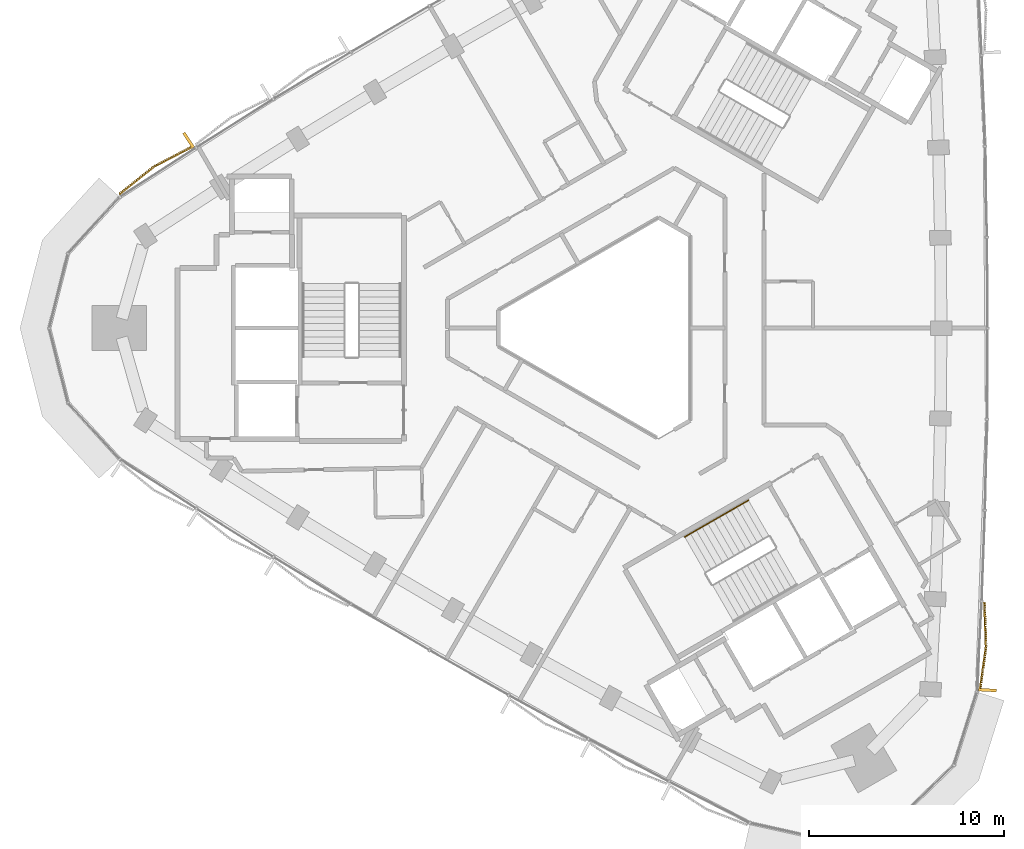
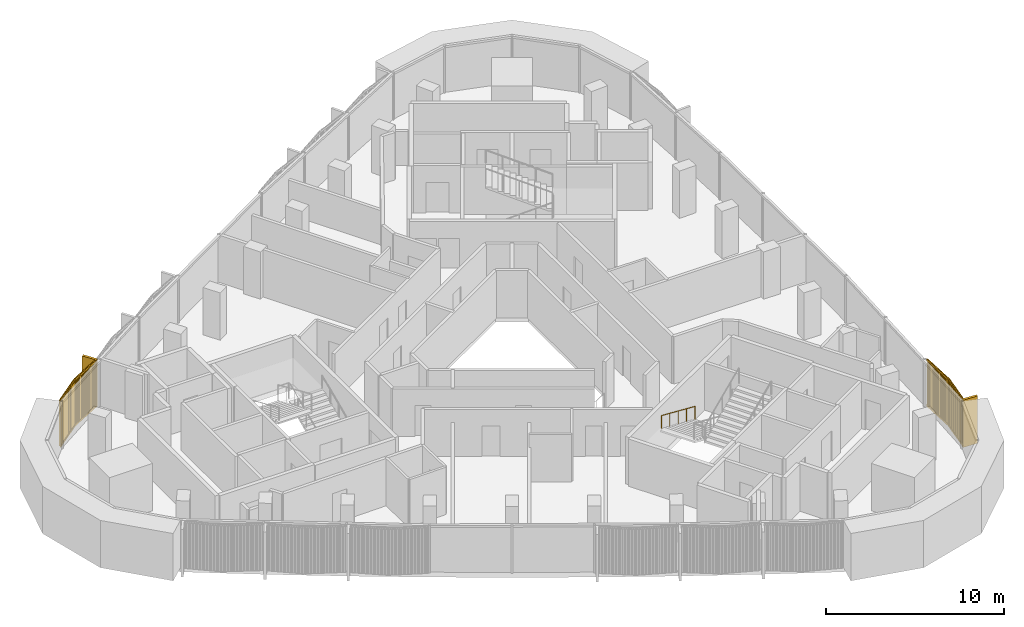
# One storey, part 14 of 16: 2 coverings, 1 railing.
"""IFC4 building model written with IfcOpenShell, lengths in metres."""

import ifcopenshell
import ifcopenshell.guid

model = None  # the IFC model being written
_history = None  # IfcOwnerHistory: only IFC2X3 demands one
_inside = {}  # id of a spatial element -> (the spatial element, [elements in it])
_under = {}  # id of a project, library or spatial element -> (it, [spatial elements below it])
_declared = {}  # id of a project -> (the project, [libraries it declares])
_typed = {}  # id of a type object -> (the type object, [elements of that type])
_made_of = {}  # id of a material, layer set ... -> (it, [elements and type objects made of it])


def new_model(schema):
    """Start an empty IFC model of exactly this schema.

    Asked for "IFC4X3", IfcOpenShell would pick the latest addendum, in which some entities
    have other attributes; the version numbers below select the first issue.
    IFC2X3 requires an IfcOwnerHistory on every rooted entity: one is made here for all.
    """
    global model, _history
    if schema == "IFC4X3":
        model = ifcopenshell.file(schema_version=(4, 3, 0, 0))
    else:
        model = ifcopenshell.file(schema=schema)
    _inside.clear()
    _under.clear()
    _declared.clear()
    _typed.clear()
    _made_of.clear()
    _history = None
    if model.schema == "IFC2X3":
        org = make("IfcOrganization", Name="unknown")
        user = make(
            "IfcPersonAndOrganization",
            ThePerson=make("IfcPerson", FamilyName="unknown"),
            TheOrganization=org,
        )
        app = make(
            "IfcApplication",
            ApplicationDeveloper=org,
            Version="unknown",
            ApplicationFullName="unknown",
            ApplicationIdentifier="unknown",
        )
        _history = make(
            "IfcOwnerHistory",
            OwningUser=user,
            OwningApplication=app,
            ChangeAction="ADDED",
            CreationDate=0,
        )
    return model


def make(cls, **values):
    """One entity of the class cls with the attributes given. An attribute that is None is left unset."""
    return model.create_entity(
        cls, **{name: value for name, value in values.items() if value is not None}
    )


def rooted(cls, **values):
    """An entity with a GlobalId (a new one), such as an element, a storey or a relation."""
    return make(cls, GlobalId=ifcopenshell.guid.new(), OwnerHistory=_history, **values)


def si_unit(unit_type, name, prefix=None):
    """IfcSIUnit, for example si_unit("LENGTHUNIT", "METRE", prefix="MILLI")."""
    return make("IfcSIUnit", UnitType=unit_type, Prefix=prefix, Name=name)


def assignment(units):
    """IfcUnitAssignment: the units of a project."""
    return None if units is None else make("IfcUnitAssignment", Units=units)


def point(xyz):
    """IfcCartesianPoint."""
    return None if xyz is None else make("IfcCartesianPoint", Coordinates=xyz)


def direction(xyz):
    """IfcDirection."""
    return None if xyz is None else make("IfcDirection", DirectionRatios=xyz)


def frame(location, z_axis=None, x_axis=None):
    """IfcAxis2Placement3D, a coordinate frame: its origin and axes. An axis left out is left unset."""
    return make(
        "IfcAxis2Placement3D",
        Location=point(location),
        Axis=direction(z_axis),
        RefDirection=direction(x_axis),
    )


def frame_2d(location, x_axis=None):
    """IfcAxis2Placement2D, a coordinate frame in the plane: its origin and x axis."""
    return make(
        "IfcAxis2Placement2D", Location=point(location), RefDirection=direction(x_axis)
    )


def origin():
    """The frame at (0, 0, 0) with its axes left unset."""
    return frame((0.0, 0.0, 0.0))


def origin_2d():
    """The frame at (0, 0) in the plane with its x axis left unset."""
    return frame_2d((0.0, 0.0))


def place(relative_to, where):
    """IfcLocalPlacement: puts the frame where relative to a parent placement (None: the world)."""
    return make(
        "IfcLocalPlacement", PlacementRelTo=relative_to, RelativePlacement=where
    )


def context(
    kind, dimensions, precision=None, world=None, true_north=None, identifier=None
):
    """IfcGeometricRepresentationContext, for example the 3D "Model" context."""
    return make(
        "IfcGeometricRepresentationContext",
        ContextIdentifier=identifier,
        ContextType=kind,
        CoordinateSpaceDimension=dimensions,
        Precision=precision,
        WorldCoordinateSystem=world,
        TrueNorth=true_north,
    )


def subcontext(parent, identifier, kind, view, scale=None):
    """IfcGeometricRepresentationSubContext, for example "Body" below "Model"."""
    return make(
        "IfcGeometricRepresentationSubContext",
        ContextIdentifier=identifier,
        ContextType=kind,
        ParentContext=parent,
        TargetScale=scale,
        TargetView=view,
    )


def project(units=None, contexts=None):
    """IfcProject with its units and contexts."""
    return rooted(
        "IfcProject",
        Name="project",
        RepresentationContexts=contexts,
        UnitsInContext=assignment(units),
    )


def spatial(cls, under=None, at=None, **own):
    """A site, building, storey or space (cls), placed at a placement, below another one or the project."""
    s = rooted(cls, ObjectPlacement=at, **own)
    if under is not None:
        _under.setdefault(under.id(), (under, []))[1].append(s)
    return s


def profile(cls, at=None, kind="AREA", **sizes):
    """A parametric profile (cls). Its sizes go by their IFC names, for example OverallWidth=200.0."""
    return make(cls, ProfileType=kind, Position=at, **sizes)


def rectangle(**sizes):
    """IfcRectangleProfileDef."""
    return profile("IfcRectangleProfileDef", **sizes)


def circle(**sizes):
    """IfcCircleProfileDef."""
    return profile("IfcCircleProfileDef", **sizes)


def extrude(swept, where, along, depth):
    """IfcExtrudedAreaSolid: the profile swept, set in the frame where, extruded along a direction by depth."""
    return make(
        "IfcExtrudedAreaSolid",
        SweptArea=swept,
        Position=where,
        ExtrudedDirection=direction(along),
        Depth=depth,
    )


def shape(context_of_items, identifier, shape_type, items):
    """IfcShapeRepresentation: the items that make up one representation, for example the "Body"."""
    return make(
        "IfcShapeRepresentation",
        ContextOfItems=context_of_items,
        RepresentationIdentifier=identifier,
        RepresentationType=shape_type,
        Items=items,
    )


def source(mapping_origin, context_of_items, identifier, shape_type, items):
    """IfcRepresentationMap: a shape defined once, which mapped items show again and again."""
    return make(
        "IfcRepresentationMap",
        MappingOrigin=mapping_origin,
        MappedRepresentation=shape(context_of_items, identifier, shape_type, items),
    )


def transform(
    local_origin,
    x_axis=None,
    y_axis=None,
    z_axis=None,
    scale=None,
    scale2=None,
    scale3=None,
    uniform=True,
):
    """IfcCartesianTransformationOperator3D, or its non-uniform kind. x_axis, y_axis, z_axis: its Axis1, 2, 3."""
    if uniform:
        return make(
            "IfcCartesianTransformationOperator3D",
            Axis1=direction(x_axis),
            Axis2=direction(y_axis),
            LocalOrigin=point(local_origin),
            Scale=scale,
            Axis3=direction(z_axis),
        )
    return make(
        "IfcCartesianTransformationOperator3DnonUniform",
        Axis1=direction(x_axis),
        Axis2=direction(y_axis),
        LocalOrigin=point(local_origin),
        Scale=scale,
        Axis3=direction(z_axis),
        Scale2=scale2,
        Scale3=scale3,
    )


def mapped(mapping_source, mapping_target):
    """IfcMappedItem: shows the shape of a source again, moved by a transform."""
    return make(
        "IfcMappedItem", MappingSource=mapping_source, MappingTarget=mapping_target
    )


def material(Name=None, Category=None):
    """IfcMaterial."""
    return make("IfcMaterial", Name=Name, Category=Category)


def made_of(thing, what):
    """Note that an element or type object is made of a material, layer set ...; save() writes the relation."""
    if what is not None:
        _made_of.setdefault(what.id(), (what, []))[1].append(thing)
    return thing


def type_object(cls, material=None, **own):
    """A type object (cls), such as IfcWallType, which elements share."""
    return made_of(rooted(cls, **own), material)


def element(
    cls,
    number,
    at=None,
    inside=None,
    cuts=None,
    type_object=None,
    material=None,
    context=None,
    identifier="Body",
    shape_type=None,
    held_by="IfcProductDefinitionShape",
    body=None,
    shapes=None,
    **own,
):
    """One element of the class cls, such as IfcWall. Its Tag is "e" and its number.

    at: its placement. inside: the storey or other place that contains it. cuts: it is an
    opening in that element (IfcRelVoidsElement). A single representation is given by context,
    identifier, shape_type and body (its items); several are given by shapes. held_by: the class
    of the entity that holds the representations. save() writes the other relations.
    """
    e = rooted(cls, Tag="e%d" % number, ObjectPlacement=at, **own)
    if body is not None:
        shapes = [shape(context, identifier, shape_type, body)]
    if shapes is not None:
        e.Representation = make(held_by, Representations=shapes)
    if inside is not None:
        _inside.setdefault(inside.id(), (inside, []))[1].append(e)
    if cuts is not None:
        rooted(
            "IfcRelVoidsElement", RelatingBuildingElement=cuts, RelatedOpeningElement=e
        )
    if type_object is not None:
        _typed.setdefault(type_object.id(), (type_object, []))[1].append(e)
    return made_of(e, material)


def aggregate(whole, parts):
    """IfcRelAggregates: a whole, such as a stair, and the parts it consists of."""
    return rooted("IfcRelAggregates", RelatingObject=whole, RelatedObjects=parts)


def save(model, path):
    """Write the relations noted so far, then the file.

    IfcRelAggregates (storeys below a building ...), IfcRelContainedInSpatialStructure (elements
    in a storey), IfcRelDefinesByType, IfcRelAssociatesMaterial and IfcRelDeclares: one each for
    every whole, place, type object, material and project.
    """
    for whole, parts in _under.values():
        aggregate(whole, parts)
    for where, things in _inside.values():
        rooted(
            "IfcRelContainedInSpatialStructure",
            RelatedElements=things,
            RelatingStructure=where,
        )
    for kind, things in _typed.values():
        rooted("IfcRelDefinesByType", RelatedObjects=things, RelatingType=kind)
    for what, things in _made_of.values():
        rooted("IfcRelAssociatesMaterial", RelatedObjects=things, RelatingMaterial=what)
    for by, libraries in _declared.values():
        rooted("IfcRelDeclares", RelatingContext=by, RelatedDefinitions=libraries)
    model.write(path)


model = new_model("IFC4")

# Units and contexts
model_context = context("Model", 3, precision=1e-05, world=origin(), true_north=direction((0.0, 1.0)))
body_context = subcontext(model_context, "Body", "Model", "MODEL_VIEW")
ifc_project = project(units=[si_unit("LENGTHUNIT", "METRE"), si_unit("AREAUNIT", "SQUARE_METRE"), si_unit("VOLUMEUNIT", "CUBIC_METRE"), si_unit("PLANEANGLEUNIT", "RADIAN"), si_unit("MASSUNIT", "GRAM", prefix="KILO")], contexts=[model_context])

# Site, building, storey
site_placement = place(None, origin())
site = spatial("IfcSite", under=ifc_project, at=site_placement, CompositionType="ELEMENT")
building_placement = place(site_placement, origin())
building = spatial("IfcBuilding", under=site, at=building_placement, Name="Tamra Quay Hotel Tower", CompositionType="ELEMENT")
storey_placement = place(building_placement, frame((0.0, 0.0, 239.39990234375)))
storey = spatial("IfcBuildingStorey", under=building, at=storey_placement, Name="L60", CompositionType="ELEMENT", Elevation=239.39990234375)

# Railing
ifc_material_1 = material(Name="Stair handrail 900")
railing_type = type_object("IfcRailingType", Name="Stair handrail 900", PredefinedType="HANDRAIL", material=ifc_material_1)
railing_placement = place(storey_placement, frame((6.7978515625, -8.814208984375, 0.150146484375)))
element("IfcRailing", 1, at=railing_placement, inside=storey, type_object=railing_type, Name="HR", PredefinedType="HANDRAIL", context=body_context, shape_type="SweptSolid", body=[
    extrude(circle(Radius=0.02392578125, at=origin_2d()), frame((0.0, 0.0, 0.8759765625), z_axis=(-0.79310004713, -0.457886897714, 0.401661429744), x_axis=(0.499992114976, -0.866029956157, 0.0)), (0.0, 0.0, 1.0), 4.107666015625),
    extrude(circle(Radius=0.02099609375, at=origin_2d()), origin(), (0.0, 0.0, 1.0), 0.851806640625),
    extrude(circle(Radius=0.02099609375, at=origin_2d()), frame((-0.814453125, -0.47021484375, 0.41259765625)), (0.0, 0.0, 1.0), 0.851806640625),
    extrude(circle(Radius=0.02099609375, at=origin_2d()), frame((-1.62890625, -0.9404296875, 0.824951171875)), (0.0, 0.0, 1.0), 0.851806640625),
    extrude(circle(Radius=0.02099609375, at=origin_2d()), frame((-2.443359375, -1.41064453125, 1.2373046875)), (0.0, 0.0, 1.0), 0.851806640625),
    extrude(circle(Radius=0.02099609375, at=origin_2d()), frame((-3.2578125, -1.880859375, 1.64990234375)), (0.0, 0.0, 1.0), 0.851806640625),
])

# Coverings
ifc_material_2 = material(Name="Terracotta baguette extruded", Category="masonry")
covering_type_1 = type_object("IfcCoveringType", Name="BAGUETTE SCREEN E-V H3250", PredefinedType="USERDEFINED", material=ifc_material_2)
shared_shape_1 = source(origin(), body_context, "Body", "SweptSolid", [
    extrude(rectangle(XDim=2.291259765625, YDim=0.06005859375, at=frame_2d((1.1455078125, 0.030029296875))), frame((-2.287841796875, -0.057861328125, -0.1201171875), z_axis=(0.0, 0.0, 1.0), x_axis=(0.996194698092, -0.087155742748, 0.0)), (0.0, 0.0, 1.0), 0.1201171875),
    extrude(rectangle(XDim=2.291259765625, YDim=0.06005859375, at=frame_2d((1.1455078125, 0.030029296875))), frame((-2.287841796875, -0.057861328125, -3.25), z_axis=(0.0, 0.0, 1.0), x_axis=(0.996194698092, -0.087155742748, 0.0)), (0.0, 0.0, 1.0), 0.1201171875),
    extrude(rectangle(XDim=0.070068359375, YDim=0.10009765625, at=frame_2d((0.03515625, 0.050048828125))), frame((-2.267822265625, -0.13232421875, -3.18994140625)), (0.0, 0.0, 1.0), 3.1298828125),
    extrude(rectangle(XDim=0.070068359375, YDim=0.10009765625, at=frame_2d((0.03515625, 0.050048828125))), frame((-2.168701171875, -0.14111328125, -3.18994140625)), (0.0, 0.0, 1.0), 3.1298828125),
    extrude(rectangle(XDim=0.070068359375, YDim=0.10009765625, at=frame_2d((0.03515625, 0.050048828125))), frame((-2.0693359375, -0.149658203125, -3.18994140625)), (0.0, 0.0, 1.0), 3.1298828125),
    extrude(rectangle(XDim=0.070068359375, YDim=0.10009765625, at=frame_2d((0.03515625, 0.050048828125))), frame((-1.97021484375, -0.158447265625, -3.18994140625)), (0.0, 0.0, 1.0), 3.1298828125),
    extrude(rectangle(XDim=0.070068359375, YDim=0.10009765625, at=frame_2d((0.03515625, 0.050048828125))), frame((-1.870849609375, -0.1669921875, -3.18994140625)), (0.0, 0.0, 1.0), 3.1298828125),
    extrude(rectangle(XDim=0.070068359375, YDim=0.10009765625, at=frame_2d((0.03515625, 0.050048828125))), frame((-1.771728515625, -0.17578125, -3.18994140625)), (0.0, 0.0, 1.0), 3.1298828125),
    extrude(rectangle(XDim=0.070068359375, YDim=0.10009765625, at=frame_2d((0.03515625, 0.050048828125))), frame((-1.67236328125, -0.184326171875, -3.18994140625)), (0.0, 0.0, 1.0), 3.1298828125),
    extrude(rectangle(XDim=0.070068359375, YDim=0.10009765625, at=frame_2d((0.03515625, 0.050048828125))), frame((-1.5732421875, -0.193115234375, -3.18994140625)), (0.0, 0.0, 1.0), 3.1298828125),
    extrude(rectangle(XDim=0.070068359375, YDim=0.10009765625, at=frame_2d((0.03515625, 0.050048828125))), frame((-1.473876953125, -0.201904296875, -3.18994140625)), (0.0, 0.0, 1.0), 3.1298828125),
    extrude(rectangle(XDim=0.070068359375, YDim=0.10009765625, at=frame_2d((0.03515625, 0.050048828125))), frame((-1.374755859375, -0.21044921875, -3.18994140625)), (0.0, 0.0, 1.0), 3.1298828125),
    extrude(rectangle(XDim=0.070068359375, YDim=0.10009765625, at=frame_2d((0.03515625, 0.050048828125))), frame((-1.275390625, -0.21923828125, -3.18994140625)), (0.0, 0.0, 1.0), 3.1298828125),
    extrude(rectangle(XDim=0.070068359375, YDim=0.10009765625, at=frame_2d((0.03515625, 0.050048828125))), frame((-1.17626953125, -0.227783203125, -3.18994140625)), (0.0, 0.0, 1.0), 3.1298828125),
    extrude(rectangle(XDim=0.070068359375, YDim=0.10009765625, at=frame_2d((0.03515625, 0.050048828125))), frame((-1.076904296875, -0.236572265625, -3.18994140625)), (0.0, 0.0, 1.0), 3.1298828125),
    extrude(rectangle(XDim=0.070068359375, YDim=0.10009765625, at=frame_2d((0.03515625, 0.050048828125))), frame((-0.977783203125, -0.2451171875, -3.18994140625)), (0.0, 0.0, 1.0), 3.1298828125),
    extrude(rectangle(XDim=0.070068359375, YDim=0.10009765625, at=frame_2d((0.03515625, 0.050048828125))), frame((-0.87841796875, -0.25390625, -3.18994140625)), (0.0, 0.0, 1.0), 3.1298828125),
    extrude(rectangle(XDim=0.070068359375, YDim=0.10009765625, at=frame_2d((0.03515625, 0.050048828125))), frame((-0.779296875, -0.2626953125, -3.18994140625)), (0.0, 0.0, 1.0), 3.1298828125),
    extrude(rectangle(XDim=0.070068359375, YDim=0.10009765625, at=frame_2d((0.03515625, 0.050048828125))), frame((-0.679931640625, -0.271240234375, -3.18994140625)), (0.0, 0.0, 1.0), 3.1298828125),
    extrude(rectangle(XDim=0.070068359375, YDim=0.10009765625, at=frame_2d((0.03515625, 0.050048828125))), frame((-0.580810546875, -0.280029296875, -3.18994140625)), (0.0, 0.0, 1.0), 3.1298828125),
    extrude(rectangle(XDim=0.070068359375, YDim=0.10009765625, at=frame_2d((0.03515625, 0.050048828125))), frame((-0.481689453125, -0.28857421875, -3.18994140625)), (0.0, 0.0, 1.0), 3.1298828125),
    extrude(rectangle(XDim=0.070068359375, YDim=0.10009765625, at=frame_2d((0.03515625, 0.050048828125))), frame((-0.38232421875, -0.29736328125, -3.18994140625)), (0.0, 0.0, 1.0), 3.1298828125),
    extrude(rectangle(XDim=0.070068359375, YDim=0.10009765625, at=frame_2d((0.03515625, 0.050048828125))), frame((-0.283203125, -0.305908203125, -3.18994140625)), (0.0, 0.0, 1.0), 3.1298828125),
    extrude(rectangle(XDim=0.070068359375, YDim=0.10009765625, at=frame_2d((0.03515625, 0.050048828125))), frame((-0.183837890625, -0.314697265625, -3.18994140625)), (0.0, 0.0, 1.0), 3.1298828125),
    extrude(rectangle(XDim=0.070068359375, YDim=0.10009765625, at=frame_2d((0.03515625, 0.050048828125))), frame((-0.084716796875, -0.3232421875, -3.18994140625)), (0.0, 0.0, 1.0), 3.1298828125),
    extrude(rectangle(XDim=2.291259765625, YDim=0.06005859375, at=frame_2d((1.1455078125, 0.030029296875))), frame((0.005126953125, -0.257568359375, -0.1201171875), z_axis=(0.0, 0.0, 1.0), x_axis=(0.996194698092, 0.087155742748, 0.0)), (0.0, 0.0, 1.0), 0.1201171875),
    extrude(rectangle(XDim=2.291259765625, YDim=0.06005859375, at=frame_2d((1.1455078125, 0.030029296875))), frame((0.005126953125, -0.257568359375, -3.25), z_axis=(0.0, 0.0, 1.0), x_axis=(0.996194698092, 0.087155742748, 0.0)), (0.0, 0.0, 1.0), 0.1201171875),
    extrude(rectangle(XDim=0.070068359375, YDim=0.10009765625, at=frame_2d((0.03515625, 0.050048828125))), frame((0.0146484375, -0.3232421875, -3.18994140625)), (0.0, 0.0, 1.0), 3.1298828125),
    extrude(rectangle(XDim=0.070068359375, YDim=0.10009765625, at=frame_2d((0.03515625, 0.050048828125))), frame((0.11376953125, -0.314697265625, -3.18994140625)), (0.0, 0.0, 1.0), 3.1298828125),
    extrude(rectangle(XDim=0.070068359375, YDim=0.10009765625, at=frame_2d((0.03515625, 0.050048828125))), frame((0.213134765625, -0.305908203125, -3.18994140625)), (0.0, 0.0, 1.0), 3.1298828125),
    extrude(rectangle(XDim=0.070068359375, YDim=0.10009765625, at=frame_2d((0.03515625, 0.050048828125))), frame((0.312255859375, -0.29736328125, -3.18994140625)), (0.0, 0.0, 1.0), 3.1298828125),
    extrude(rectangle(XDim=0.070068359375, YDim=0.10009765625, at=frame_2d((0.03515625, 0.050048828125))), frame((0.41162109375, -0.28857421875, -3.18994140625)), (0.0, 0.0, 1.0), 3.1298828125),
    extrude(rectangle(XDim=0.070068359375, YDim=0.10009765625, at=frame_2d((0.03515625, 0.050048828125))), frame((0.5107421875, -0.280029296875, -3.18994140625)), (0.0, 0.0, 1.0), 3.1298828125),
    extrude(rectangle(XDim=0.070068359375, YDim=0.10009765625, at=frame_2d((0.03515625, 0.050048828125))), frame((0.610107421875, -0.271240234375, -3.18994140625)), (0.0, 0.0, 1.0), 3.1298828125),
    extrude(rectangle(XDim=0.070068359375, YDim=0.10009765625, at=frame_2d((0.03515625, 0.050048828125))), frame((0.709228515625, -0.2626953125, -3.18994140625)), (0.0, 0.0, 1.0), 3.1298828125),
    extrude(rectangle(XDim=0.070068359375, YDim=0.10009765625, at=frame_2d((0.03515625, 0.050048828125))), frame((0.80859375, -0.25390625, -3.18994140625)), (0.0, 0.0, 1.0), 3.1298828125),
    extrude(rectangle(XDim=0.070068359375, YDim=0.10009765625, at=frame_2d((0.03515625, 0.050048828125))), frame((0.90771484375, -0.2451171875, -3.18994140625)), (0.0, 0.0, 1.0), 3.1298828125),
    extrude(rectangle(XDim=0.070068359375, YDim=0.10009765625, at=frame_2d((0.03515625, 0.050048828125))), frame((1.007080078125, -0.236572265625, -3.18994140625)), (0.0, 0.0, 1.0), 3.1298828125),
    extrude(rectangle(XDim=0.070068359375, YDim=0.10009765625, at=frame_2d((0.03515625, 0.050048828125))), frame((1.106201171875, -0.227783203125, -3.18994140625)), (0.0, 0.0, 1.0), 3.1298828125),
    extrude(rectangle(XDim=0.070068359375, YDim=0.10009765625, at=frame_2d((0.03515625, 0.050048828125))), frame((1.20556640625, -0.21923828125, -3.18994140625)), (0.0, 0.0, 1.0), 3.1298828125),
    extrude(rectangle(XDim=0.070068359375, YDim=0.10009765625, at=frame_2d((0.03515625, 0.050048828125))), frame((1.3046875, -0.21044921875, -3.18994140625)), (0.0, 0.0, 1.0), 3.1298828125),
    extrude(rectangle(XDim=0.070068359375, YDim=0.10009765625, at=frame_2d((0.03515625, 0.050048828125))), frame((1.404052734375, -0.201904296875, -3.18994140625)), (0.0, 0.0, 1.0), 3.1298828125),
    extrude(rectangle(XDim=0.070068359375, YDim=0.10009765625, at=frame_2d((0.03515625, 0.050048828125))), frame((1.503173828125, -0.193115234375, -3.18994140625)), (0.0, 0.0, 1.0), 3.1298828125),
    extrude(rectangle(XDim=0.070068359375, YDim=0.10009765625, at=frame_2d((0.03515625, 0.050048828125))), frame((1.6025390625, -0.184326171875, -3.18994140625)), (0.0, 0.0, 1.0), 3.1298828125),
    extrude(rectangle(XDim=0.070068359375, YDim=0.10009765625, at=frame_2d((0.03515625, 0.050048828125))), frame((1.70166015625, -0.17578125, -3.18994140625)), (0.0, 0.0, 1.0), 3.1298828125),
    extrude(rectangle(XDim=0.070068359375, YDim=0.10009765625, at=frame_2d((0.03515625, 0.050048828125))), frame((1.801025390625, -0.1669921875, -3.18994140625)), (0.0, 0.0, 1.0), 3.1298828125),
    extrude(rectangle(XDim=0.070068359375, YDim=0.10009765625, at=frame_2d((0.03515625, 0.050048828125))), frame((1.900146484375, -0.158447265625, -3.18994140625)), (0.0, 0.0, 1.0), 3.1298828125),
    extrude(rectangle(XDim=0.070068359375, YDim=0.10009765625, at=frame_2d((0.03515625, 0.050048828125))), frame((1.99951171875, -0.149658203125, -3.18994140625)), (0.0, 0.0, 1.0), 3.1298828125),
    extrude(rectangle(XDim=0.070068359375, YDim=0.10009765625, at=frame_2d((0.03515625, 0.050048828125))), frame((2.0986328125, -0.14111328125, -3.18994140625)), (0.0, 0.0, 1.0), 3.1298828125),
    extrude(rectangle(XDim=0.070068359375, YDim=0.10009765625, at=frame_2d((0.03515625, 0.050048828125))), frame((2.197998046875, -0.13232421875, -3.18994140625)), (0.0, 0.0, 1.0), 3.1298828125),
    extrude(rectangle(XDim=0.14990234375, YDim=0.902099609375, at=frame_2d((0.074951171875, 0.451171875))), frame((-2.282470703125, -0.89990234375, -3.25)), (0.0, 0.0, 1.0), 3.25),
])
covering_1_placement = place(storey_placement, frame((18.7099609375, -16.3076171875, 3.25), z_axis=(0.0, 0.0, 1.0), x_axis=(0.05140283052, 0.998678000666, 0.0)))
element("IfcCovering", 2, at=covering_1_placement, inside=storey, type_object=covering_type_1, Name="Baguette screen L60.E.f00", ObjectType="BAGUETTE SCREEN", PredefinedType="USERDEFINED", context=body_context, shape_type="MappedRepresentation", body=[
    mapped(shared_shape_1, transform((0.0, 0.0, 0.0), scale=1.0)),
])
covering_type_2 = type_object("IfcCoveringType", Name="BAGUETTE SCREEN NW-V H3250", PredefinedType="USERDEFINED", material=ifc_material_2)
shared_shape_2 = source(origin(), body_context, "Body", "SweptSolid", [
    extrude(rectangle(XDim=2.29296875, YDim=0.06005859375, at=frame_2d((1.146484375, 0.030029296875))), frame((-2.288330078125, -0.0576171875, -0.1201171875), z_axis=(0.0, 0.0, 1.0), x_axis=(0.995396198367, -0.09584575252, 0.0)), (0.0, 0.0, 1.0), 0.1201171875),
    extrude(rectangle(XDim=2.29296875, YDim=0.06005859375, at=frame_2d((1.146484375, 0.030029296875))), frame((-2.288330078125, -0.0576171875, -3.25), z_axis=(0.0, 0.0, 1.0), x_axis=(0.995396198367, -0.09584575252, 0.0)), (0.0, 0.0, 1.0), 0.1201171875),
    extrude(rectangle(XDim=0.070068359375, YDim=0.10009765625, at=frame_2d((0.03515625, 0.050048828125))), frame((-2.267822265625, -0.1328125, -3.18994140625)), (0.0, 0.0, 1.0), 3.1298828125),
    extrude(rectangle(XDim=0.070068359375, YDim=0.10009765625, at=frame_2d((0.03515625, 0.050048828125))), frame((-2.168701171875, -0.142333984375, -3.18994140625)), (0.0, 0.0, 1.0), 3.1298828125),
    extrude(rectangle(XDim=0.070068359375, YDim=0.10009765625, at=frame_2d((0.03515625, 0.050048828125))), frame((-2.0693359375, -0.15185546875, -3.18994140625)), (0.0, 0.0, 1.0), 3.1298828125),
    extrude(rectangle(XDim=0.070068359375, YDim=0.10009765625, at=frame_2d((0.03515625, 0.050048828125))), frame((-1.97021484375, -0.161376953125, -3.18994140625)), (0.0, 0.0, 1.0), 3.1298828125),
    extrude(rectangle(XDim=0.070068359375, YDim=0.10009765625, at=frame_2d((0.03515625, 0.050048828125))), frame((-1.870849609375, -0.1708984375, -3.18994140625)), (0.0, 0.0, 1.0), 3.1298828125),
    extrude(rectangle(XDim=0.070068359375, YDim=0.10009765625, at=frame_2d((0.03515625, 0.050048828125))), frame((-1.771728515625, -0.1806640625, -3.18994140625)), (0.0, 0.0, 1.0), 3.1298828125),
    extrude(rectangle(XDim=0.070068359375, YDim=0.10009765625, at=frame_2d((0.03515625, 0.050048828125))), frame((-1.67236328125, -0.190185546875, -3.18994140625)), (0.0, 0.0, 1.0), 3.1298828125),
    extrude(rectangle(XDim=0.070068359375, YDim=0.10009765625, at=frame_2d((0.03515625, 0.050048828125))), frame((-1.5732421875, -0.19970703125, -3.18994140625)), (0.0, 0.0, 1.0), 3.1298828125),
    extrude(rectangle(XDim=0.070068359375, YDim=0.10009765625, at=frame_2d((0.03515625, 0.050048828125))), frame((-1.473876953125, -0.209228515625, -3.18994140625)), (0.0, 0.0, 1.0), 3.1298828125),
    extrude(rectangle(XDim=0.070068359375, YDim=0.10009765625, at=frame_2d((0.03515625, 0.050048828125))), frame((-1.374755859375, -0.21875, -3.18994140625)), (0.0, 0.0, 1.0), 3.1298828125),
    extrude(rectangle(XDim=0.070068359375, YDim=0.10009765625, at=frame_2d((0.03515625, 0.050048828125))), frame((-1.275390625, -0.228271484375, -3.18994140625)), (0.0, 0.0, 1.0), 3.1298828125),
    extrude(rectangle(XDim=0.070068359375, YDim=0.10009765625, at=frame_2d((0.03515625, 0.050048828125))), frame((-1.17626953125, -0.23779296875, -3.18994140625)), (0.0, 0.0, 1.0), 3.1298828125),
    extrude(rectangle(XDim=0.070068359375, YDim=0.10009765625, at=frame_2d((0.03515625, 0.050048828125))), frame((-1.076904296875, -0.24755859375, -3.18994140625)), (0.0, 0.0, 1.0), 3.1298828125),
    extrude(rectangle(XDim=0.070068359375, YDim=0.10009765625, at=frame_2d((0.03515625, 0.050048828125))), frame((-0.977783203125, -0.257080078125, -3.18994140625)), (0.0, 0.0, 1.0), 3.1298828125),
    extrude(rectangle(XDim=0.070068359375, YDim=0.10009765625, at=frame_2d((0.03515625, 0.050048828125))), frame((-0.87841796875, -0.2666015625, -3.18994140625)), (0.0, 0.0, 1.0), 3.1298828125),
    extrude(rectangle(XDim=0.070068359375, YDim=0.10009765625, at=frame_2d((0.03515625, 0.050048828125))), frame((-0.779296875, -0.276123046875, -3.18994140625)), (0.0, 0.0, 1.0), 3.1298828125),
    extrude(rectangle(XDim=0.070068359375, YDim=0.10009765625, at=frame_2d((0.03515625, 0.050048828125))), frame((-0.679931640625, -0.28564453125, -3.18994140625)), (0.0, 0.0, 1.0), 3.1298828125),
    extrude(rectangle(XDim=0.070068359375, YDim=0.10009765625, at=frame_2d((0.03515625, 0.050048828125))), frame((-0.580810546875, -0.295166015625, -3.18994140625)), (0.0, 0.0, 1.0), 3.1298828125),
    extrude(rectangle(XDim=0.070068359375, YDim=0.10009765625, at=frame_2d((0.03515625, 0.050048828125))), frame((-0.481689453125, -0.3046875, -3.18994140625)), (0.0, 0.0, 1.0), 3.1298828125),
    extrude(rectangle(XDim=0.070068359375, YDim=0.10009765625, at=frame_2d((0.03515625, 0.050048828125))), frame((-0.38232421875, -0.314453125, -3.18994140625)), (0.0, 0.0, 1.0), 3.1298828125),
    extrude(rectangle(XDim=0.070068359375, YDim=0.10009765625, at=frame_2d((0.03515625, 0.050048828125))), frame((-0.283203125, -0.323974609375, -3.18994140625)), (0.0, 0.0, 1.0), 3.1298828125),
    extrude(rectangle(XDim=0.070068359375, YDim=0.10009765625, at=frame_2d((0.03515625, 0.050048828125))), frame((-0.183837890625, -0.33349609375, -3.18994140625)), (0.0, 0.0, 1.0), 3.1298828125),
    extrude(rectangle(XDim=0.070068359375, YDim=0.10009765625, at=frame_2d((0.03515625, 0.050048828125))), frame((-0.084716796875, -0.343017578125, -3.18994140625)), (0.0, 0.0, 1.0), 3.1298828125),
    extrude(rectangle(XDim=2.29296875, YDim=0.06005859375, at=frame_2d((1.146484375, 0.030029296875))), frame((0.005859375, -0.277587890625, -0.1201171875), z_axis=(0.0, 0.0, 1.0), x_axis=(0.995396198367, 0.09584575252, 0.0)), (0.0, 0.0, 1.0), 0.1201171875),
    extrude(rectangle(XDim=2.29296875, YDim=0.06005859375, at=frame_2d((1.146484375, 0.030029296875))), frame((0.005859375, -0.277587890625, -3.25), z_axis=(0.0, 0.0, 1.0), x_axis=(0.995396198367, 0.09584575252, 0.0)), (0.0, 0.0, 1.0), 0.1201171875),
    extrude(rectangle(XDim=0.070068359375, YDim=0.10009765625, at=frame_2d((0.03515625, 0.050048828125))), frame((0.0146484375, -0.343017578125, -3.18994140625)), (0.0, 0.0, 1.0), 3.1298828125),
    extrude(rectangle(XDim=0.070068359375, YDim=0.10009765625, at=frame_2d((0.03515625, 0.050048828125))), frame((0.11376953125, -0.33349609375, -3.18994140625)), (0.0, 0.0, 1.0), 3.1298828125),
    extrude(rectangle(XDim=0.070068359375, YDim=0.10009765625, at=frame_2d((0.03515625, 0.050048828125))), frame((0.213134765625, -0.323974609375, -3.18994140625)), (0.0, 0.0, 1.0), 3.1298828125),
    extrude(rectangle(XDim=0.070068359375, YDim=0.10009765625, at=frame_2d((0.03515625, 0.050048828125))), frame((0.312255859375, -0.314453125, -3.18994140625)), (0.0, 0.0, 1.0), 3.1298828125),
    extrude(rectangle(XDim=0.070068359375, YDim=0.10009765625, at=frame_2d((0.03515625, 0.050048828125))), frame((0.41162109375, -0.3046875, -3.18994140625)), (0.0, 0.0, 1.0), 3.1298828125),
    extrude(rectangle(XDim=0.070068359375, YDim=0.10009765625, at=frame_2d((0.03515625, 0.050048828125))), frame((0.5107421875, -0.295166015625, -3.18994140625)), (0.0, 0.0, 1.0), 3.1298828125),
    extrude(rectangle(XDim=0.070068359375, YDim=0.10009765625, at=frame_2d((0.03515625, 0.050048828125))), frame((0.610107421875, -0.28564453125, -3.18994140625)), (0.0, 0.0, 1.0), 3.1298828125),
    extrude(rectangle(XDim=0.070068359375, YDim=0.10009765625, at=frame_2d((0.03515625, 0.050048828125))), frame((0.709228515625, -0.276123046875, -3.18994140625)), (0.0, 0.0, 1.0), 3.1298828125),
    extrude(rectangle(XDim=0.070068359375, YDim=0.10009765625, at=frame_2d((0.03515625, 0.050048828125))), frame((0.80859375, -0.2666015625, -3.18994140625)), (0.0, 0.0, 1.0), 3.1298828125),
    extrude(rectangle(XDim=0.070068359375, YDim=0.10009765625, at=frame_2d((0.03515625, 0.050048828125))), frame((0.90771484375, -0.257080078125, -3.18994140625)), (0.0, 0.0, 1.0), 3.1298828125),
    extrude(rectangle(XDim=0.070068359375, YDim=0.10009765625, at=frame_2d((0.03515625, 0.050048828125))), frame((1.007080078125, -0.24755859375, -3.18994140625)), (0.0, 0.0, 1.0), 3.1298828125),
    extrude(rectangle(XDim=0.070068359375, YDim=0.10009765625, at=frame_2d((0.03515625, 0.050048828125))), frame((1.106201171875, -0.23779296875, -3.18994140625)), (0.0, 0.0, 1.0), 3.1298828125),
    extrude(rectangle(XDim=0.070068359375, YDim=0.10009765625, at=frame_2d((0.03515625, 0.050048828125))), frame((1.20556640625, -0.228271484375, -3.18994140625)), (0.0, 0.0, 1.0), 3.1298828125),
    extrude(rectangle(XDim=0.070068359375, YDim=0.10009765625, at=frame_2d((0.03515625, 0.050048828125))), frame((1.3046875, -0.21875, -3.18994140625)), (0.0, 0.0, 1.0), 3.1298828125),
    extrude(rectangle(XDim=0.070068359375, YDim=0.10009765625, at=frame_2d((0.03515625, 0.050048828125))), frame((1.404052734375, -0.209228515625, -3.18994140625)), (0.0, 0.0, 1.0), 3.1298828125),
    extrude(rectangle(XDim=0.070068359375, YDim=0.10009765625, at=frame_2d((0.03515625, 0.050048828125))), frame((1.503173828125, -0.19970703125, -3.18994140625)), (0.0, 0.0, 1.0), 3.1298828125),
    extrude(rectangle(XDim=0.070068359375, YDim=0.10009765625, at=frame_2d((0.03515625, 0.050048828125))), frame((1.6025390625, -0.190185546875, -3.18994140625)), (0.0, 0.0, 1.0), 3.1298828125),
    extrude(rectangle(XDim=0.070068359375, YDim=0.10009765625, at=frame_2d((0.03515625, 0.050048828125))), frame((1.70166015625, -0.1806640625, -3.18994140625)), (0.0, 0.0, 1.0), 3.1298828125),
    extrude(rectangle(XDim=0.070068359375, YDim=0.10009765625, at=frame_2d((0.03515625, 0.050048828125))), frame((1.801025390625, -0.1708984375, -3.18994140625)), (0.0, 0.0, 1.0), 3.1298828125),
    extrude(rectangle(XDim=0.070068359375, YDim=0.10009765625, at=frame_2d((0.03515625, 0.050048828125))), frame((1.900146484375, -0.161376953125, -3.18994140625)), (0.0, 0.0, 1.0), 3.1298828125),
    extrude(rectangle(XDim=0.070068359375, YDim=0.10009765625, at=frame_2d((0.03515625, 0.050048828125))), frame((1.99951171875, -0.15185546875, -3.18994140625)), (0.0, 0.0, 1.0), 3.1298828125),
    extrude(rectangle(XDim=0.070068359375, YDim=0.10009765625, at=frame_2d((0.03515625, 0.050048828125))), frame((2.0986328125, -0.142333984375, -3.18994140625)), (0.0, 0.0, 1.0), 3.1298828125),
    extrude(rectangle(XDim=0.070068359375, YDim=0.10009765625, at=frame_2d((0.03515625, 0.050048828125))), frame((2.197998046875, -0.1328125, -3.18994140625)), (0.0, 0.0, 1.0), 3.1298828125),
    extrude(rectangle(XDim=0.14990234375, YDim=0.902099609375, at=frame_2d((0.074951171875, 0.451171875))), frame((-2.282470703125, -0.89990234375, -3.25)), (0.0, 0.0, 1.0), 3.25),
])
covering_2_placement = place(storey_placement, frame((-23.477783203125, 8.04931640625, 3.25), z_axis=(0.0, 0.0, 1.0), x_axis=(-0.839179103518, -0.54385515739, 0.0)))
element("IfcCovering", 3, at=covering_2_placement, inside=storey, type_object=covering_type_2, Name="Baguette screen L60.NW.f07", ObjectType="BAGUETTE SCREEN", PredefinedType="USERDEFINED", context=body_context, shape_type="MappedRepresentation", body=[
    mapped(shared_shape_2, transform((0.0, 0.0, 0.0), scale=1.0)),
])

save(model, "model.ifc")
